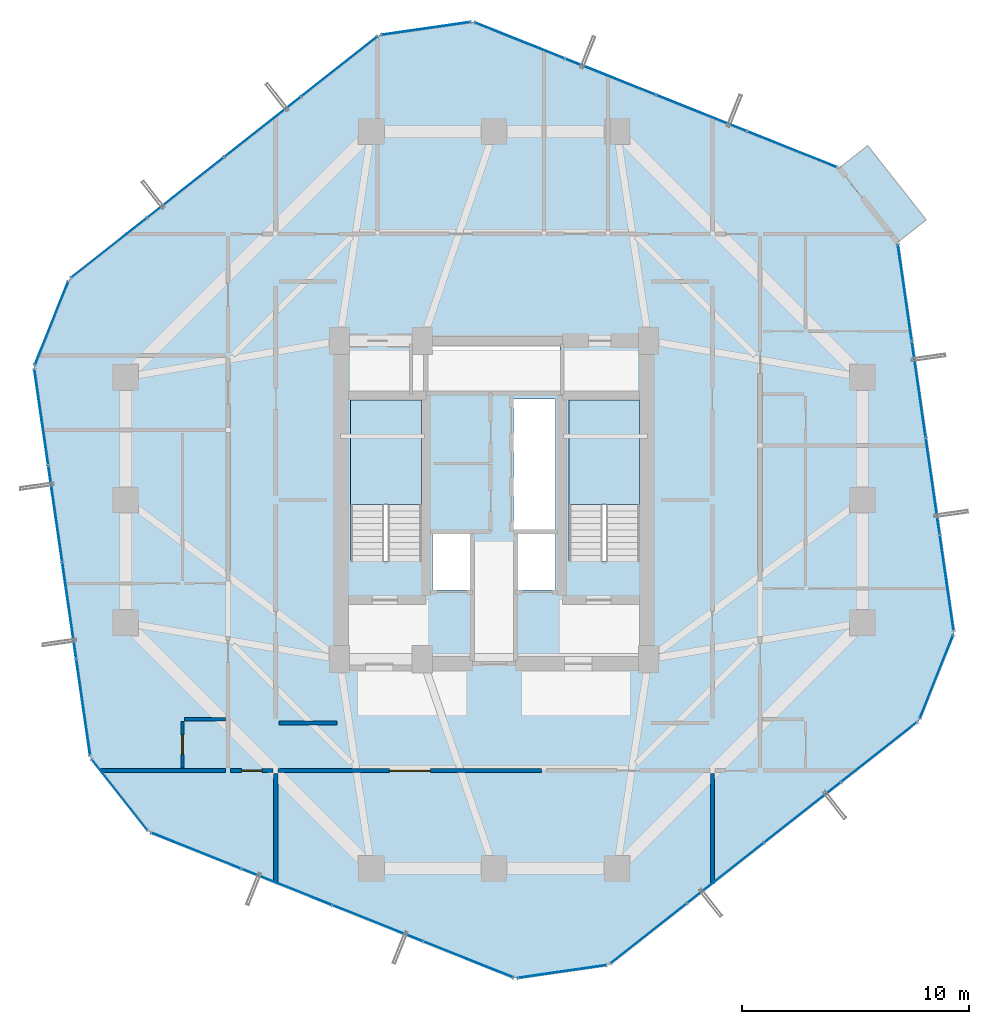
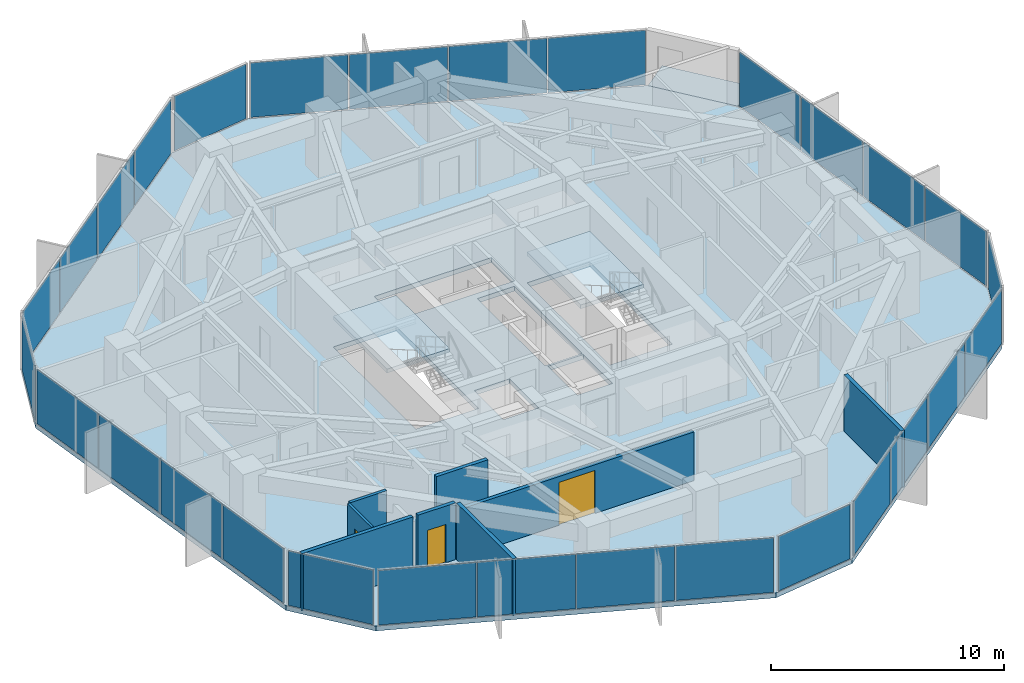
# One storey, part 29 of 34: 29 plates, 8 walls, 4 slabs, 3 doors, 3 openings, 13 elements without a shape of their own.
"""IFC4 building model written with IfcOpenShell, lengths in metres."""

from ifc_helpers import new_model, si_unit, direction, frame, frame_2d, origin, origin_2d, place, context, subcontext, project, spatial, polyline, rectangle, outline, extrude, source, transform, mapped, material, layer, layer_set, type_object, element, fill, aggregate, save


model = new_model("IFC4")

# Units and contexts
model_context = context("Model", 3, precision=1e-05, world=origin(), true_north=direction((0.0, 1.0)))
body_context = subcontext(model_context, "Body", "Model", "MODEL_VIEW")
ifc_project = project(units=[si_unit("LENGTHUNIT", "METRE"), si_unit("AREAUNIT", "SQUARE_METRE"), si_unit("VOLUMEUNIT", "CUBIC_METRE"), si_unit("PLANEANGLEUNIT", "RADIAN"), si_unit("MASSUNIT", "GRAM", prefix="KILO")], contexts=[model_context])

# Site, building, storey
site_placement = place(None, origin())
site = spatial("IfcSite", under=ifc_project, at=site_placement, CompositionType="ELEMENT")
building_placement = place(site_placement, origin())
building = spatial("IfcBuilding", under=site, at=building_placement, Name="Veraguas Prism Commons", CompositionType="ELEMENT")
storey_placement = place(building_placement, frame((0.0, 0.0, 155.5)))
storey = spatial("IfcBuildingStorey", under=building, at=storey_placement, Name="L44", CompositionType="ELEMENT", Elevation=155.5)

# Stair, slab
ifc_material_1 = material(Name="Precast concrete C45/55", Category="concrete")
stair_type = type_object("IfcStairType", Name="Dogleg Core Stair 1480W 20R 05", PredefinedType="HALF_TURN_STAIR", material=ifc_material_1)
stair_1_placement = place(storey_placement, origin())
stair_1 = element("IfcStair", 1, at=stair_1_placement, inside=storey, type_object=stair_type, Name="Protected Exit Stair ST-01 L44", PredefinedType="HALF_TURN_STAIR")
ifc_layer_1 = layer(ifc_material_1, 0.199951171875, Name="Precast Stair and Ramp Landing Slab 200", Category="concrete")
ifc_layer_set_1 = layer_set([ifc_layer_1], Name="Precast concrete C45/55")
slab_type_1 = type_object("IfcSlabType", Name="Precast Stair and Ramp Landing Slab 200", PredefinedType="LANDING", material=ifc_layer_set_1)
slab_1_placement = place(storey_placement, frame((0.0, 0.0, 1.425048828125)))
slab_1 = element("IfcSlab", 2, at=slab_1_placement, type_object=slab_type_1, Name="ST-05 Landing 1", PredefinedType="LANDING", context=body_context, shape_type="SweptSolid", body=[
    extrude(outline(polyline([(20.800048828125, 23.800048828125), (20.800048828125, 28.39990234375), (17.68994140625, 28.39990234375), (17.68994140625, 23.800048828125), (20.800048828125, 23.800048828125)])), origin(), (0.0, 0.0, 1.0), 0.199951171875),
])
aggregate(stair_1, [slab_1])

stair_2_placement = place(storey_placement, origin())
stair_2 = element("IfcStair", 3, at=stair_2_placement, inside=storey, type_object=stair_type, Name="Protected Exit Stair ST-02 L44", PredefinedType="HALF_TURN_STAIR")
slab_2_placement = place(storey_placement, frame((0.0, 0.0, 1.425048828125)))
slab_2 = element("IfcSlab", 4, at=slab_2_placement, type_object=slab_type_1, Name="ST-05 Landing 1", PredefinedType="LANDING", context=body_context, shape_type="SweptSolid", body=[
    extrude(outline(polyline([(30.39990234375, 23.800048828125), (30.39990234375, 28.39990234375), (27.2900390625, 28.39990234375), (27.2900390625, 23.800048828125), (30.39990234375, 23.800048828125)])), origin(), (0.0, 0.0, 1.0), 0.199951171875),
])
aggregate(stair_2, [slab_2])

# Slabs
ifc_material_2 = material(Name="Concrete C45/55", Category="concrete")
ifc_layer_2 = layer(ifc_material_2, 0.219970703125, Name="Recessed Loggia and Terrace Slab RC 220", Category="concrete")
ifc_layer_set_2 = layer_set([ifc_layer_2], Name="Concrete C45/55")
slab_type_2 = type_object("IfcSlabType", Name="Recessed Loggia and Terrace Slab RC 220", PredefinedType="FLOOR", material=ifc_layer_set_2)
slab_3_placement = place(storey_placement, frame((0.0, 0.0, -0.219970703125)))
element("IfcSlab", 5, at=slab_3_placement, inside=storey, type_object=slab_type_2, Name="Recessed Corner Loggia L44-C1", PredefinedType="FLOOR", context=body_context, shape_type="SweptSolid", body=[
    extrude(outline(polyline([(41.72900390625, 35.318115234375), (43.001708984375, 36.320556640625), (40.432373046875, 39.58349609375), (39.15966796875, 38.5810546875), (41.72900390625, 35.318115234375)])), origin(), (0.0, 0.0, 1.0), 0.219970703125),
])
ifc_layer_3 = layer(ifc_material_2, 0.25, Name="Tower Lower Residential Floor Slab RC 250", Category="concrete")
ifc_layer_set_3 = layer_set([ifc_layer_3], Name="Concrete C45/55")
slab_type_3 = type_object("IfcSlabType", Name="Tower Lower Residential Floor Slab RC 250", PredefinedType="FLOOR", material=ifc_layer_set_3)
slab_4_placement = place(storey_placement, frame((0.0, 0.0, -0.25)))
element("IfcSlab", 6, at=slab_4_placement, inside=storey, type_object=slab_type_3, Name="Tower Floor Slab L44", PredefinedType="FLOOR", context=body_context, shape_type="SweptSolid", body=[
    extrude(outline(polyline([(41.744873046875, 35.33056640625), (39.17529296875, 38.593505859375), (23.059814453125, 45.03271484375), (18.94921875, 44.43896484375), (5.31494140625, 33.7021484375), (3.77392578125, 29.845458984375), (6.255126953125, 12.66943359375), (8.82470703125, 9.406494140625), (24.940185546875, 2.96728515625), (29.05078125, 3.56103515625), (42.68505859375, 14.2978515625), (44.22607421875, 18.154541015625), (41.744873046875, 35.33056640625)]), holes=[polyline([(20.800048828125, 21.31005859375), (20.800048828125, 28.39990234375), (17.68994140625, 28.39990234375), (17.68994140625, 21.31005859375), (20.800048828125, 21.31005859375)]), polyline([(30.39990234375, 21.31005859375), (30.39990234375, 28.39990234375), (27.2900390625, 28.39990234375), (27.2900390625, 21.31005859375), (30.39990234375, 21.31005859375)]), polyline([(24.85009765625, 22.64990234375), (26.699951171875, 22.64990234375), (26.699951171875, 28.449951171875), (24.85009765625, 28.449951171875), (24.85009765625, 22.64990234375)]), polyline([(21.10009765625, 28.800048828125), (26.89990234375, 28.800048828125), (26.89990234375, 30.800048828125), (21.10009765625, 30.800048828125), (21.10009765625, 28.800048828125)]), polyline([(21.300048828125, 20.050048828125), (23.050048828125, 20.050048828125), (23.050048828125, 22.550048828125), (21.300048828125, 22.550048828125), (21.300048828125, 20.050048828125)]), polyline([(24.949951171875, 20.050048828125), (26.699951171875, 20.050048828125), (26.699951171875, 22.550048828125), (24.949951171875, 22.550048828125), (24.949951171875, 20.050048828125)])]), origin(), (0.0, 0.0, 1.0), 0.25),
])

# Curtain wall, plates
ifc_material_3 = material(Name="Anodised aluminium EN AW-6063 T6", Category="aluminium")
ifc_layer_4 = layer(ifc_material_3, 0.169921875, Name="Unitised Flush Curtain Wall Zone 2", Category="aluminium")
ifc_layer_set_4 = layer_set([ifc_layer_4], Name="Anodised aluminium EN AW-6063 T6")
curtain_wall_type = type_object("IfcCurtainWallType", Name="Unitised Flush Curtain Wall Zone 2", PredefinedType="NOTDEFINED", material=ifc_layer_set_4)
curtain_wall_1_placement = place(storey_placement, origin())
curtain_wall_1 = element("IfcCurtainWall", 7, at=curtain_wall_1_placement, inside=storey, type_object=curtain_wall_type, Name="Tower Facade Curtain Wall L44-F1", PredefinedType="NOTDEFINED")
ifc_material_4 = material(Name="Laminated low-e glass", Category="glass")
ifc_layer_5 = layer(ifc_material_4, 0.028076171875, Name="Unitised Double Low-E Glazed Panel 28", Category="glass")
ifc_layer_set_5 = layer_set([ifc_layer_5], Name="Laminated low-e glass")
plate_type = type_object("IfcPlateType", Name="Unitised Double Low-E Glazed Panel 28", PredefinedType="CURTAIN_PANEL", material=ifc_layer_set_5)
shared_shape_1 = source(origin(), body_context, "Body", "SweptSolid", [
    extrude(rectangle(XDim=4.218505859375, YDim=0.028076171875, at=origin_2d()), origin(), (0.0, 0.0, 1.0), 2.860107421875),
])
plate_1_placement = place(storey_placement, frame((37.105224609375, 39.420654296875, 0.05517578125), z_axis=(0.0, 0.0, 1.0), x_axis=(-0.928617344909, 0.371038848013, 0.0)))
plate_1 = element("IfcPlate", 8, at=plate_1_placement, type_object=plate_type, Name="CW-Z2 Panel 1.1", PredefinedType="CURTAIN_PANEL", context=body_context, shape_type="MappedRepresentation", body=[
    mapped(shared_shape_1, transform((0.0, 0.0, 0.0), scale=1.0)),
])
plate_2_placement = place(storey_placement, frame((25.1298828125, 44.20556640625, 0.05517578125), z_axis=(0.0, 0.0, 1.0), x_axis=(-0.928617344909, 0.371038848013, 0.0)))
plate_2 = element("IfcPlate", 9, at=plate_2_placement, type_object=plate_type, Name="CW-Z2 Panel 4.1", PredefinedType="CURTAIN_PANEL", context=body_context, shape_type="MappedRepresentation", body=[
    mapped(shared_shape_1, transform((0.0, 0.0, 0.0), scale=1.0)),
])

curtain_wall_2_placement = place(storey_placement, origin())
curtain_wall_2 = element("IfcCurtainWall", 10, at=curtain_wall_2_placement, inside=storey, type_object=curtain_wall_type, Name="Tower Facade Curtain Wall L44-F2", PredefinedType="NOTDEFINED")
plate_3_placement = place(storey_placement, frame((17.197998046875, 43.059814453125, 0.05517578125), z_axis=(0.0, 0.0, 1.0), x_axis=(-0.785639900244, -0.618684044682, 0.0)))
plate_3 = element("IfcPlate", 11, at=plate_3_placement, type_object=plate_type, Name="CW-Z2 Panel 1.1", PredefinedType="CURTAIN_PANEL", context=body_context, shape_type="MappedRepresentation", body=[
    mapped(shared_shape_1, transform((0.0, 0.0, 0.0), scale=1.0)),
])
plate_4_placement = place(storey_placement, frame((7.06640625, 35.081298828125, 0.05517578125), z_axis=(0.0, 0.0, 1.0), x_axis=(-0.785639900244, -0.618684044682, 0.0)))
plate_4 = element("IfcPlate", 12, at=plate_4_placement, type_object=plate_type, Name="CW-Z2 Panel 4.1", PredefinedType="CURTAIN_PANEL", context=body_context, shape_type="MappedRepresentation", body=[
    mapped(shared_shape_1, transform((0.0, 0.0, 0.0), scale=1.0)),
])

curtain_wall_3_placement = place(storey_placement, origin())
curtain_wall_3 = element("IfcCurtainWall", 13, at=curtain_wall_3_placement, inside=storey, type_object=curtain_wall_type, Name="Tower Facade Curtain Wall L44-F3", PredefinedType="NOTDEFINED")
plate_5_placement = place(storey_placement, frame((4.0927734375, 27.638916015625, 0.05517578125), z_axis=(0.0, 0.0, 1.0), x_axis=(0.142970967293, -0.989726882787, 0.0)))
plate_5 = element("IfcPlate", 14, at=plate_5_placement, type_object=plate_type, Name="CW-Z2 Panel 1.1", PredefinedType="CURTAIN_PANEL", context=body_context, shape_type="MappedRepresentation", body=[
    mapped(shared_shape_1, transform((0.0, 0.0, 0.0), scale=1.0)),
])
plate_6_placement = place(storey_placement, frame((5.9365234375, 14.875732421875, 0.05517578125), z_axis=(0.0, 0.0, 1.0), x_axis=(0.142970967293, -0.989726882787, 0.0)))
plate_6 = element("IfcPlate", 15, at=plate_6_placement, type_object=plate_type, Name="CW-Z2 Panel 4.1", PredefinedType="CURTAIN_PANEL", context=body_context, shape_type="MappedRepresentation", body=[
    mapped(shared_shape_1, transform((0.0, 0.0, 0.0), scale=1.0)),
])

curtain_wall_4_placement = place(storey_placement, origin())
curtain_wall_4 = element("IfcCurtainWall", 16, at=curtain_wall_4_placement, inside=storey, type_object=curtain_wall_type, Name="Tower Facade Curtain Wall L44-F4", PredefinedType="NOTDEFINED")
plate_7_placement = place(storey_placement, frame((10.894775390625, 8.579345703125, 0.05517578125), z_axis=(0.0, 0.0, 1.0), x_axis=(0.928617344909, -0.371038848013, 0.0)))
plate_7 = element("IfcPlate", 17, at=plate_7_placement, type_object=plate_type, Name="CW-Z2 Panel 1.1", PredefinedType="CURTAIN_PANEL", context=body_context, shape_type="MappedRepresentation", body=[
    mapped(shared_shape_1, transform((0.0, 0.0, 0.0), scale=1.0)),
])
plate_8_placement = place(storey_placement, frame((22.8701171875, 3.79443359375, 0.05517578125), z_axis=(0.0, 0.0, 1.0), x_axis=(0.928617344909, -0.371038848013, 0.0)))
plate_8 = element("IfcPlate", 18, at=plate_8_placement, type_object=plate_type, Name="CW-Z2 Panel 4.1", PredefinedType="CURTAIN_PANEL", context=body_context, shape_type="MappedRepresentation", body=[
    mapped(shared_shape_1, transform((0.0, 0.0, 0.0), scale=1.0)),
])

curtain_wall_5_placement = place(storey_placement, origin())
curtain_wall_5 = element("IfcCurtainWall", 19, at=curtain_wall_5_placement, inside=storey, type_object=curtain_wall_type, Name="Tower Facade Curtain Wall L44-F5", PredefinedType="NOTDEFINED")
plate_9_placement = place(storey_placement, frame((30.802001953125, 4.940185546875, 0.05517578125), z_axis=(0.0, 0.0, 1.0), x_axis=(0.785639900244, 0.618684044682, 0.0)))
plate_9 = element("IfcPlate", 20, at=plate_9_placement, type_object=plate_type, Name="CW-Z2 Panel 1.1", PredefinedType="CURTAIN_PANEL", context=body_context, shape_type="MappedRepresentation", body=[
    mapped(shared_shape_1, transform((0.0, 0.0, 0.0), scale=1.0)),
])
plate_10_placement = place(storey_placement, frame((40.93359375, 12.918701171875, 0.05517578125), z_axis=(0.0, 0.0, 1.0), x_axis=(0.785639900244, 0.618684044682, 0.0)))
plate_10 = element("IfcPlate", 21, at=plate_10_placement, type_object=plate_type, Name="CW-Z2 Panel 4.1", PredefinedType="CURTAIN_PANEL", context=body_context, shape_type="MappedRepresentation", body=[
    mapped(shared_shape_1, transform((0.0, 0.0, 0.0), scale=1.0)),
])

curtain_wall_6_placement = place(storey_placement, origin())
curtain_wall_6 = element("IfcCurtainWall", 22, at=curtain_wall_6_placement, inside=storey, type_object=curtain_wall_type, Name="Tower Facade Curtain Wall L44-F6", PredefinedType="NOTDEFINED")
plate_11_placement = place(storey_placement, frame((43.9072265625, 20.361083984375, 0.05517578125), z_axis=(0.0, 0.0, 1.0), x_axis=(-0.142970967293, 0.989726882787, 0.0)))
plate_11 = element("IfcPlate", 23, at=plate_11_placement, type_object=plate_type, Name="CW-Z2 Panel 1.1", PredefinedType="CURTAIN_PANEL", context=body_context, shape_type="MappedRepresentation", body=[
    mapped(shared_shape_1, transform((0.0, 0.0, 0.0), scale=1.0)),
])
plate_12_placement = place(storey_placement, frame((42.0634765625, 33.124267578125, 0.05517578125), z_axis=(0.0, 0.0, 1.0), x_axis=(-0.142970967293, 0.989726882787, 0.0)))
plate_12 = element("IfcPlate", 24, at=plate_12_placement, type_object=plate_type, Name="CW-Z2 Panel 4.1", PredefinedType="CURTAIN_PANEL", context=body_context, shape_type="MappedRepresentation", body=[
    mapped(shared_shape_1, transform((0.0, 0.0, 0.0), scale=1.0)),
])

# Plate
shared_shape_2 = source(origin(), body_context, "Body", "SweptSolid", [
    extrude(rectangle(XDim=4.24853515625, YDim=0.028076171875, at=origin_2d()), origin(), (0.0, 0.0, 1.0), 2.860107421875),
])
plate_13_placement = place(storey_placement, frame((33.1181640625, 41.013671875, 0.05517578125), z_axis=(0.0, 0.0, 1.0), x_axis=(-0.928617344909, 0.371038848013, 0.0)))
plate_13 = element("IfcPlate", 25, at=plate_13_placement, type_object=plate_type, Name="CW-Z2 Panel 2.1", PredefinedType="CURTAIN_PANEL", context=body_context, shape_type="MappedRepresentation", body=[
    mapped(shared_shape_2, transform((0.0, 0.0, 0.0), scale=1.0)),
])

plate_14_placement = place(storey_placement, frame((29.116943359375, 42.6123046875, 0.05517578125), z_axis=(0.0, 0.0, 1.0), x_axis=(-0.928617344909, 0.371038848013, 0.0)))
plate_14 = element("IfcPlate", 26, at=plate_14_placement, type_object=plate_type, Name="CW-Z2 Panel 3.1", PredefinedType="CURTAIN_PANEL", context=body_context, shape_type="MappedRepresentation", body=[
    mapped(shared_shape_2, transform((0.0, 0.0, 0.0), scale=1.0)),
])

aggregate(curtain_wall_1, [plate_1, plate_13, plate_14, plate_2])

plate_15_placement = place(storey_placement, frame((13.82470703125, 40.4033203125, 0.05517578125), z_axis=(0.0, 0.0, 1.0), x_axis=(-0.785639900244, -0.618684044682, 0.0)))
plate_15 = element("IfcPlate", 27, at=plate_15_placement, type_object=plate_type, Name="CW-Z2 Panel 2.1", PredefinedType="CURTAIN_PANEL", context=body_context, shape_type="MappedRepresentation", body=[
    mapped(shared_shape_2, transform((0.0, 0.0, 0.0), scale=1.0)),
])

plate_16_placement = place(storey_placement, frame((10.439697265625, 37.73779296875, 0.05517578125), z_axis=(0.0, 0.0, 1.0), x_axis=(-0.785639900244, -0.618684044682, 0.0)))
plate_16 = element("IfcPlate", 28, at=plate_16_placement, type_object=plate_type, Name="CW-Z2 Panel 3.1", PredefinedType="CURTAIN_PANEL", context=body_context, shape_type="MappedRepresentation", body=[
    mapped(shared_shape_2, transform((0.0, 0.0, 0.0), scale=1.0)),
])

aggregate(curtain_wall_2, [plate_3, plate_15, plate_16, plate_4])

plate_17_placement = place(storey_placement, frame((4.70654296875, 23.3896484375, 0.05517578125), z_axis=(0.0, 0.0, 1.0), x_axis=(0.142970967293, -0.989726882787, 0.0)))
plate_17 = element("IfcPlate", 29, at=plate_17_placement, type_object=plate_type, Name="CW-Z2 Panel 2.1", PredefinedType="CURTAIN_PANEL", context=body_context, shape_type="MappedRepresentation", body=[
    mapped(shared_shape_2, transform((0.0, 0.0, 0.0), scale=1.0)),
])

plate_18_placement = place(storey_placement, frame((5.322509765625, 19.125244140625, 0.05517578125), z_axis=(0.0, 0.0, 1.0), x_axis=(0.142970967293, -0.989726882787, 0.0)))
plate_18 = element("IfcPlate", 30, at=plate_18_placement, type_object=plate_type, Name="CW-Z2 Panel 3.1", PredefinedType="CURTAIN_PANEL", context=body_context, shape_type="MappedRepresentation", body=[
    mapped(shared_shape_2, transform((0.0, 0.0, 0.0), scale=1.0)),
])

aggregate(curtain_wall_3, [plate_5, plate_17, plate_18, plate_6])

plate_19_placement = place(storey_placement, frame((14.8818359375, 6.986328125, 0.05517578125), z_axis=(0.0, 0.0, 1.0), x_axis=(0.928617344909, -0.371038848013, 0.0)))
plate_19 = element("IfcPlate", 31, at=plate_19_placement, type_object=plate_type, Name="CW-Z2 Panel 2.1", PredefinedType="CURTAIN_PANEL", context=body_context, shape_type="MappedRepresentation", body=[
    mapped(shared_shape_2, transform((0.0, 0.0, 0.0), scale=1.0)),
])

plate_20_placement = place(storey_placement, frame((18.883056640625, 5.3876953125, 0.05517578125), z_axis=(0.0, 0.0, 1.0), x_axis=(0.928617344909, -0.371038848013, 0.0)))
plate_20 = element("IfcPlate", 32, at=plate_20_placement, type_object=plate_type, Name="CW-Z2 Panel 3.1", PredefinedType="CURTAIN_PANEL", context=body_context, shape_type="MappedRepresentation", body=[
    mapped(shared_shape_2, transform((0.0, 0.0, 0.0), scale=1.0)),
])

aggregate(curtain_wall_4, [plate_7, plate_19, plate_20, plate_8])

plate_21_placement = place(storey_placement, frame((34.17529296875, 7.5966796875, 0.05517578125), z_axis=(0.0, 0.0, 1.0), x_axis=(0.785639900244, 0.618684044682, 0.0)))
plate_21 = element("IfcPlate", 33, at=plate_21_placement, type_object=plate_type, Name="CW-Z2 Panel 2.1", PredefinedType="CURTAIN_PANEL", context=body_context, shape_type="MappedRepresentation", body=[
    mapped(shared_shape_2, transform((0.0, 0.0, 0.0), scale=1.0)),
])

plate_22_placement = place(storey_placement, frame((37.560302734375, 10.26220703125, 0.05517578125), z_axis=(0.0, 0.0, 1.0), x_axis=(0.785639900244, 0.618684044682, 0.0)))
plate_22 = element("IfcPlate", 34, at=plate_22_placement, type_object=plate_type, Name="CW-Z2 Panel 3.1", PredefinedType="CURTAIN_PANEL", context=body_context, shape_type="MappedRepresentation", body=[
    mapped(shared_shape_2, transform((0.0, 0.0, 0.0), scale=1.0)),
])

aggregate(curtain_wall_5, [plate_9, plate_21, plate_22, plate_10])

plate_23_placement = place(storey_placement, frame((43.29345703125, 24.6103515625, 0.05517578125), z_axis=(0.0, 0.0, 1.0), x_axis=(-0.142970967293, 0.989726882787, 0.0)))
plate_23 = element("IfcPlate", 35, at=plate_23_placement, type_object=plate_type, Name="CW-Z2 Panel 2.1", PredefinedType="CURTAIN_PANEL", context=body_context, shape_type="MappedRepresentation", body=[
    mapped(shared_shape_2, transform((0.0, 0.0, 0.0), scale=1.0)),
])

plate_24_placement = place(storey_placement, frame((42.677490234375, 28.874755859375, 0.05517578125), z_axis=(0.0, 0.0, 1.0), x_axis=(-0.142970967293, 0.989726882787, 0.0)))
plate_24 = element("IfcPlate", 36, at=plate_24_placement, type_object=plate_type, Name="CW-Z2 Panel 3.1", PredefinedType="CURTAIN_PANEL", context=body_context, shape_type="MappedRepresentation", body=[
    mapped(shared_shape_2, transform((0.0, 0.0, 0.0), scale=1.0)),
])

aggregate(curtain_wall_6, [plate_11, plate_23, plate_24, plate_12])

# Curtain wall, plate
curtain_wall_7_placement = place(storey_placement, origin())
curtain_wall_7 = element("IfcCurtainWall", 37, at=curtain_wall_7_placement, inside=storey, type_object=curtain_wall_type, Name="Chamfer Curtain Wall L44-C2", PredefinedType="NOTDEFINED")
shared_shape_3 = source(origin(), body_context, "Body", "SweptSolid", [
    extrude(rectangle(XDim=3.9130859375, YDim=0.028076171875, at=origin_2d()), origin(), (0.0, 0.0, 1.0), 2.860107421875),
])
plate_25_placement = place(storey_placement, frame((21.004638671875, 44.73583984375, 0.05517578125), z_axis=(0.0, 0.0, 1.0), x_axis=(-0.989731124385, -0.142941601442, 0.0)))
plate_25 = element("IfcPlate", 38, at=plate_25_placement, type_object=plate_type, Name="CW-Z2 Panel 1.1", PredefinedType="CURTAIN_PANEL", context=body_context, shape_type="MappedRepresentation", body=[
    mapped(shared_shape_3, transform((0.0, 0.0, 0.0), scale=1.0)),
])
aggregate(curtain_wall_7, [plate_25])

curtain_wall_8_placement = place(storey_placement, origin())
curtain_wall_8 = element("IfcCurtainWall", 39, at=curtain_wall_8_placement, inside=storey, type_object=curtain_wall_type, Name="Chamfer Curtain Wall L44-C3", PredefinedType="NOTDEFINED")
plate_26_placement = place(storey_placement, frame((4.54443359375, 31.773681640625, 0.05517578125), z_axis=(0.0, 0.0, 1.0), x_axis=(-0.371022640526, -0.928623820617, 0.0)))
plate_26 = element("IfcPlate", 40, at=plate_26_placement, type_object=plate_type, Name="CW-Z2 Panel 1.1", PredefinedType="CURTAIN_PANEL", context=body_context, shape_type="MappedRepresentation", body=[
    mapped(shared_shape_3, transform((0.0, 0.0, 0.0), scale=1.0)),
])
aggregate(curtain_wall_8, [plate_26])

curtain_wall_9_placement = place(storey_placement, origin())
curtain_wall_9 = element("IfcCurtainWall", 41, at=curtain_wall_9_placement, inside=storey, type_object=curtain_wall_type, Name="Chamfer Curtain Wall L44-C5", PredefinedType="NOTDEFINED")
plate_27_placement = place(storey_placement, frame((26.995361328125, 3.26416015625, 0.05517578125), z_axis=(0.0, 0.0, 1.0), x_axis=(0.989731124385, 0.142941601442, 0.0)))
plate_27 = element("IfcPlate", 42, at=plate_27_placement, type_object=plate_type, Name="CW-Z2 Panel 1.1", PredefinedType="CURTAIN_PANEL", context=body_context, shape_type="MappedRepresentation", body=[
    mapped(shared_shape_3, transform((0.0, 0.0, 0.0), scale=1.0)),
])
aggregate(curtain_wall_9, [plate_27])

curtain_wall_10_placement = place(storey_placement, origin())
curtain_wall_10 = element("IfcCurtainWall", 43, at=curtain_wall_10_placement, inside=storey, type_object=curtain_wall_type, Name="Chamfer Curtain Wall L44-C6", PredefinedType="NOTDEFINED")
plate_28_placement = place(storey_placement, frame((43.45556640625, 16.226318359375, 0.05517578125), z_axis=(0.0, 0.0, 1.0), x_axis=(0.371022640526, 0.928623820617, 0.0)))
plate_28 = element("IfcPlate", 44, at=plate_28_placement, type_object=plate_type, Name="CW-Z2 Panel 1.1", PredefinedType="CURTAIN_PANEL", context=body_context, shape_type="MappedRepresentation", body=[
    mapped(shared_shape_3, transform((0.0, 0.0, 0.0), scale=1.0)),
])
aggregate(curtain_wall_10, [plate_28])

curtain_wall_11_placement = place(storey_placement, origin())
curtain_wall_11 = element("IfcCurtainWall", 45, at=curtain_wall_11_placement, inside=storey, type_object=curtain_wall_type, Name="Chamfer Curtain Wall L44-C4", PredefinedType="NOTDEFINED")
shared_shape_4 = source(origin(), body_context, "Body", "SweptSolid", [
    extrude(rectangle(XDim=3.913330078125, YDim=0.028076171875, at=origin_2d()), origin(), (0.0, 0.0, 1.0), 2.860107421875),
])
plate_29_placement = place(storey_placement, frame((7.5400390625, 11.037841796875, 0.05517578125), z_axis=(0.0, 0.0, 1.0), x_axis=(0.618681302278, -0.785642059854, 0.0)))
plate_29 = element("IfcPlate", 46, at=plate_29_placement, type_object=plate_type, Name="CW-Z2 Panel 1.1", PredefinedType="CURTAIN_PANEL", context=body_context, shape_type="MappedRepresentation", body=[
    mapped(shared_shape_4, transform((0.0, 0.0, 0.0), scale=1.0)),
])
aggregate(curtain_wall_11, [plate_29])

# Walls
ifc_material_5 = material(Name="Autoclaved aerated masonry block 10 MPa", Category="masonry")
ifc_layer_6 = layer(ifc_material_5, 0.179931640625, Name="Corridor and Inter-Tenancy Partition 180", Category="masonry")
ifc_layer_set_6 = layer_set([ifc_layer_6], Name="Autoclaved aerated masonry block 10 MPa")
wall_type_1 = type_object("IfcWallType", Name="Corridor and Inter-Tenancy Partition 180", PredefinedType="PARTITIONING", material=ifc_layer_set_6)
wall_1_placement = place(storey_placement, frame((14.550048828125, 14.199951171875, 0.0), z_axis=(0.0, 0.0, 1.0), x_axis=(1.0, 0.0, 0.0)))
element("IfcWall", 47, at=wall_1_placement, inside=storey, type_object=wall_type_1, Name="WL-L44-IRWS", PredefinedType="PARTITIONING", context=body_context, shape_type="SweptSolid", body=[
    extrude(rectangle(XDim=2.550048828125, YDim=0.179931640625, at=frame_2d((1.27490234375, 0.0))), origin(), (0.0, 0.0, 1.0), 2.969970703125),
])
wall_2_placement = place(storey_placement, frame((14.39990234375, 11.97998046875, 0.0), z_axis=(0.0, 0.0, 1.0), x_axis=(0.0, -1.0, 0.0)))
element("IfcWall", 48, at=wall_2_placement, inside=storey, type_object=wall_type_1, Name="WL-L44-PT001", PredefinedType="PARTITIONING", context=body_context, shape_type="SweptSolid", body=[
    extrude(rectangle(XDim=4.83349609375, YDim=0.179931640625, at=frame_2d((2.416748046875, 0.0))), origin(), (0.0, 0.0, 1.0), 2.969970703125),
])
wall_3_placement = place(storey_placement, frame((33.60009765625, 11.97998046875, 0.0), z_axis=(0.0, 0.0, 1.0), x_axis=(0.0, -1.0, 0.0)))
element("IfcWall", 49, at=wall_3_placement, inside=storey, type_object=wall_type_1, Name="WL-L44-PT002", PredefinedType="PARTITIONING", context=body_context, shape_type="SweptSolid", body=[
    extrude(rectangle(XDim=4.87451171875, YDim=0.179931640625, at=frame_2d((2.437255859375, 0.0))), origin(), (0.0, 0.0, 1.0), 2.969970703125),
])

# Wall, opening, door
wall_4_placement = place(storey_placement, frame((14.510009765625, 12.10009765625, 0.0), z_axis=(0.0, 0.0, 1.0), x_axis=(1.0, 0.0, 0.0)))
wall_4 = element("IfcWall", 50, at=wall_4_placement, inside=storey, type_object=wall_type_1, Name="WL-L44-PT003", PredefinedType="PARTITIONING", context=body_context, shape_type="SweptSolid", body=[
    extrude(rectangle(XDim=11.573974609375, YDim=0.179931640625, at=frame_2d((5.787109375, 0.0))), origin(), (0.0, 0.0, 1.0), 2.550048828125),
])
opening_1_placement = place(wall_4_placement, frame((4.886962890625, 0.0, 0.0)))
opening_1 = element("IfcOpeningElement", 51, at=opening_1_placement, cuts=wall_4, Name="Opening DR-07", PredefinedType="OPENING", context=body_context, shape_type="SweptSolid", body=[
    extrude(rectangle(XDim=1.800048828125, YDim=2.25, at=frame_2d((0.89990234375, 1.125))), frame((0.0, 0.099853515625, 0.0), z_axis=(0.0, -1.0, 0.0), x_axis=(1.0, 0.0, 0.0)), (0.0, 0.0, 1.0), 0.199951171875),
])
ifc_material_6 = material(Name="Steel fire-rated door assembly", Category="steel")
door_type_1 = type_object("IfcDoorType", Name="Corridor Double Fire Door 1800x2250", OperationType="NOTDEFINED", PredefinedType="DOOR", material=ifc_material_6)
shared_shape_5 = source(origin(), body_context, "Body", "SweptSolid", [
    extrude(rectangle(XDim=1.800048828125, YDim=2.25, at=frame_2d((0.89990234375, 1.125))), frame((0.0, 0.02490234375, 0.0), z_axis=(0.0, -1.0, 0.0), x_axis=(1.0, 0.0, 0.0)), (0.0, 0.0, 1.0), 0.050048828125),
])
door_1_placement = place(opening_1_placement, origin())
door_1 = element("IfcDoor", 52, at=door_1_placement, inside=storey, type_object=door_type_1, Name="Community Multipurpose Assembly Hall Door 1", OperationType="SINGLE_SWING_LEFT", OverallHeight=2.25, OverallWidth=1.800048828125, PredefinedType="DOOR", context=body_context, shape_type="MappedRepresentation", body=[
    mapped(shared_shape_5, transform((0.0, 0.0, 0.0), scale=1.0)),
])
fill(opening_1, door_1)

# Wall
wall_5_placement = place(storey_placement, frame((12.179931640625, 12.10009765625, 0.0), z_axis=(0.0, 0.0, 1.0), x_axis=(-1.0, 0.0, 0.0)))
element("IfcWall", 53, at=wall_5_placement, inside=storey, type_object=wall_type_1, Name="WL-L44-PT014", PredefinedType="PARTITIONING", context=body_context, shape_type="SweptSolid", body=[
    extrude(rectangle(XDim=5.5146484375, YDim=0.179931640625, at=frame_2d((2.75732421875, 0.0))), origin(), (0.0, 0.0, 1.0), 2.969970703125),
])

# Wall, opening, door
wall_6_placement = place(storey_placement, frame((12.419921875, 12.10009765625, 0.0), z_axis=(0.0, 0.0, 1.0), x_axis=(1.0, 0.0, 0.0)))
wall_6 = element("IfcWall", 54, at=wall_6_placement, inside=storey, type_object=wall_type_1, Name="WL-L44-PT041", PredefinedType="PARTITIONING", context=body_context, shape_type="SweptSolid", body=[
    extrude(rectangle(XDim=1.860107421875, YDim=0.179931640625, at=frame_2d((0.93017578125, 0.0))), origin(), (0.0, 0.0, 1.0), 2.969970703125),
])
opening_2_placement = place(wall_6_placement, frame((0.47998046875, 0.0, 0.0)))
opening_2 = element("IfcOpeningElement", 55, at=opening_2_placement, cuts=wall_6, Name="Opening DR-14", PredefinedType="OPENING", context=body_context, shape_type="SweptSolid", body=[
    extrude(rectangle(XDim=0.89990234375, YDim=2.010009765625, at=frame_2d((0.449951171875, 1.0048828125))), frame((0.0, 0.099853515625, 0.0), z_axis=(0.0, -1.0, 0.0), x_axis=(1.0, 0.0, 0.0)), (0.0, 0.0, 1.0), 0.199951171875),
])
door_type_2 = type_object("IfcDoorType", Name="Core Service Room Fire Door 900x2010", OperationType="NOTDEFINED", PredefinedType="DOOR", material=ifc_material_6)
shared_shape_6 = source(origin(), body_context, "Body", "SweptSolid", [
    extrude(rectangle(XDim=0.89990234375, YDim=2.010009765625, at=frame_2d((0.449951171875, 1.0048828125))), frame((0.0, 0.02490234375, 0.0), z_axis=(0.0, -1.0, 0.0), x_axis=(1.0, 0.0, 0.0)), (0.0, 0.0, 1.0), 0.050048828125),
])
door_2_placement = place(opening_2_placement, origin())
door_2 = element("IfcDoor", 56, at=door_2_placement, inside=storey, type_object=door_type_2, Name="Residents Corner Study Room SW Door", OperationType="SINGLE_SWING_LEFT", OverallHeight=2.010009765625, OverallWidth=0.89990234375, PredefinedType="DOOR", context=body_context, shape_type="MappedRepresentation", body=[
    mapped(shared_shape_6, transform((0.0, 0.0, 0.0), scale=1.0)),
])
fill(opening_2, door_2)

ifc_material_7 = material(Name="Lightweight acoustic gypsum board")
ifc_layer_7 = layer(ifc_material_7, 0.125, Name="Internal Apartment Room Partition 125")
ifc_layer_set_7 = layer_set([ifc_layer_7], Name="Lightweight acoustic gypsum board")
wall_type_2 = type_object("IfcWallType", Name="Internal Apartment Room Partition 125", PredefinedType="PARTITIONING", material=ifc_layer_set_7)
wall_7_placement = place(storey_placement, frame((10.300048828125, 12.219970703125, 0.0), z_axis=(0.0, 0.0, 1.0), x_axis=(0.0, 1.0, 0.0)))
wall_7 = element("IfcWall", 57, at=wall_7_placement, inside=storey, type_object=wall_type_2, Name="WL-L44-PT018", PredefinedType="PARTITIONING", context=body_context, shape_type="SweptSolid", body=[
    extrude(rectangle(XDim=2.050048828125, YDim=0.125, at=frame_2d((1.02490234375, 0.0))), origin(), (0.0, 0.0, 1.0), 2.969970703125),
])
opening_3_placement = place(wall_7_placement, frame((0.594970703125, 0.0, 0.0)))
opening_3 = element("IfcOpeningElement", 58, at=opening_3_placement, cuts=wall_7, Name="Opening DR-03", PredefinedType="OPENING", context=body_context, shape_type="SweptSolid", body=[
    extrude(rectangle(XDim=0.860107421875, YDim=2.010009765625, at=frame_2d((0.43017578125, 1.0048828125))), frame((0.0, 0.072509765625, 0.0), z_axis=(0.0, -1.0, 0.0), x_axis=(1.0, 0.0, 0.0)), (0.0, 0.0, 1.0), 0.14501953125),
])
ifc_material_8 = material(Name="Timber moisture-resistant leaf", Category="wood")
door_type_3 = type_object("IfcDoorType", Name="Internal Bathroom Door 860x2010", OperationType="NOTDEFINED", PredefinedType="DOOR", material=ifc_material_8)
shared_shape_7 = source(origin(), body_context, "Body", "SweptSolid", [
    extrude(rectangle(XDim=0.860107421875, YDim=2.010009765625, at=frame_2d((0.43017578125, 1.0048828125))), frame((0.0, 0.02490234375, 0.0), z_axis=(0.0, -1.0, 0.0), x_axis=(1.0, 0.0, 0.0)), (0.0, 0.0, 1.0), 0.050048828125),
])
door_3_placement = place(opening_3_placement, origin())
door_3 = element("IfcDoor", 59, at=door_3_placement, inside=storey, type_object=door_type_3, Name="Flat 44A Bathroom Door", OperationType="SINGLE_SWING_RIGHT", OverallHeight=2.010009765625, OverallWidth=0.860107421875, PredefinedType="DOOR", context=body_context, shape_type="MappedRepresentation", body=[
    mapped(shared_shape_7, transform((0.0, 0.0, 0.0), scale=1.0)),
])
fill(opening_3, door_3)

# Wall
ifc_layer_8 = layer(ifc_material_7, 0.14990234375, Name="Wet Room and Clinic Acoustic Partition 150")
ifc_layer_set_8 = layer_set([ifc_layer_8], Name="Lightweight acoustic gypsum board")
wall_type_3 = type_object("IfcWallType", Name="Wet Room and Clinic Acoustic Partition 150", PredefinedType="PARTITIONING", material=ifc_layer_set_8)
wall_8_placement = place(storey_placement, frame((12.179931640625, 14.35009765625, 0.0), z_axis=(0.0, 0.0, 1.0), x_axis=(-1.0, 0.0, 0.0)))
element("IfcWall", 60, at=wall_8_placement, inside=storey, type_object=wall_type_3, Name="WL-L44-PT017", PredefinedType="PARTITIONING", context=body_context, shape_type="SweptSolid", body=[
    extrude(rectangle(XDim=1.800048828125, YDim=0.14990234375, at=frame_2d((0.89990234375, 0.0))), origin(), (0.0, 0.0, 1.0), 2.969970703125),
])

save(model, "model.ifc")
